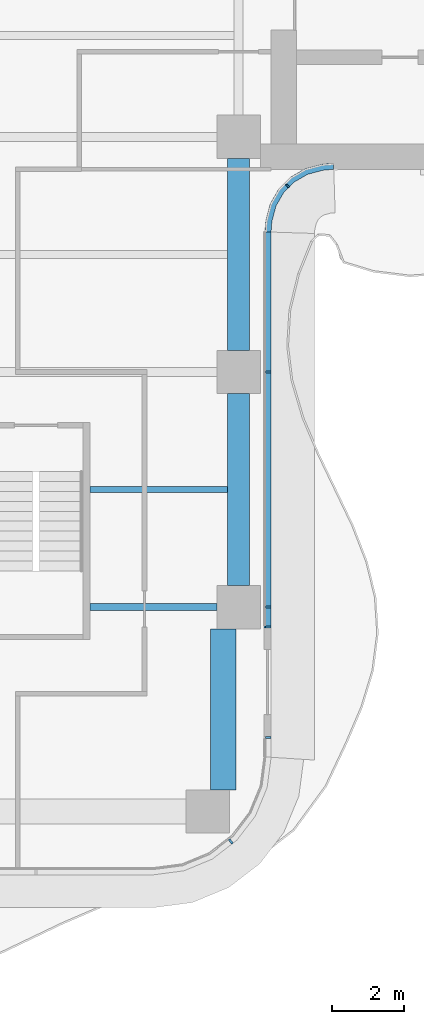
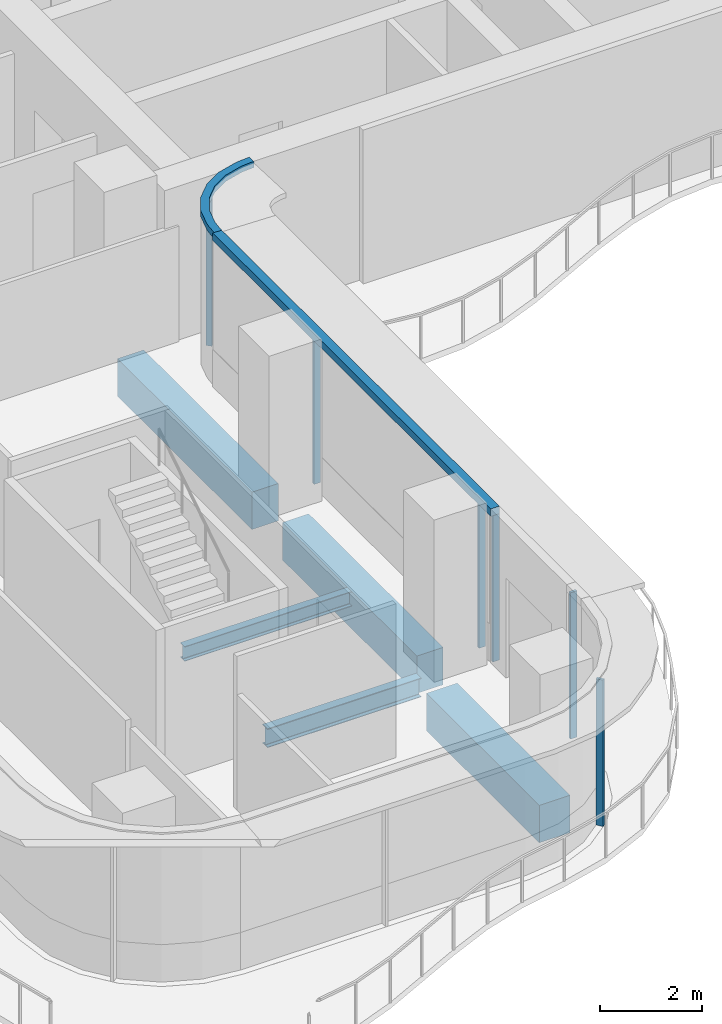
# One storey, part 5 of 18: 8 members, 5 beams, 4 elements without a shape of their own.
"""IFC4 building model written with IfcOpenShell, lengths in metres."""

from ifc_helpers import new_model, si_unit, direction, frame, origin, origin_2d, place, context, subcontext, project, spatial, polyline, rectangle, i_section, outline, extrude, source, transform, mapped, material, layer, layer_set, material_profile, profile_set, type_object, element, aggregate, save


model = new_model("IFC4")

# Units and contexts
model_context = context("Model", 3, precision=1e-05, world=origin(), true_north=direction((0.0, 1.0)))
body_context = subcontext(model_context, "Body", "Model", "MODEL_VIEW")
ifc_project = project(units=[si_unit("LENGTHUNIT", "METRE"), si_unit("AREAUNIT", "SQUARE_METRE"), si_unit("VOLUMEUNIT", "CUBIC_METRE"), si_unit("PLANEANGLEUNIT", "RADIAN"), si_unit("MASSUNIT", "GRAM", prefix="KILO")], contexts=[model_context])

# Site, building, storey
site_placement = place(None, origin())
site = spatial("IfcSite", under=ifc_project, at=site_placement, CompositionType="ELEMENT")
building_placement = place(site_placement, origin())
building = spatial("IfcBuilding", under=site, at=building_placement, Name="Trellis Farm Tower", CompositionType="ELEMENT")
storey_placement = place(building_placement, frame((0.0, 0.0, 169.800048828125)))
storey = spatial("IfcBuildingStorey", under=building, at=storey_placement, Name="L36", CompositionType="ELEMENT", Elevation=169.800048828125)

# Beams
ifc_material_1 = material(Name="Steel S355", Category="steel")
ifc_material_profile_1 = material_profile(ifc_material_1, i_section(OverallWidth=0.1904296875, OverallDepth=0.45703125, WebThickness=0.009033203125, FlangeThickness=0.014404296875, FilletRadius=0.01025390625, at=origin_2d()), Name="UB 457x191x74")
ifc_profile_set_1 = profile_set([ifc_material_profile_1], Name="Steel S355")
beam_type_1 = type_object("IfcBeamType", Name="UB 457x191x74", PredefinedType="BEAM", material=ifc_profile_set_1)
shared_shape_1 = source(origin(), body_context, "Body", "SweptSolid", [
    extrude(i_section(OverallWidth=0.1904296875, OverallDepth=0.45703125, WebThickness=0.009033203125, FlangeThickness=0.014404296875, FilletRadius=0.01025390625, at=origin_2d()), origin(), (0.0, 0.0, 1.0), 3.5),
])
beam_1_placement = place(storey_placement, frame((1.5, -18.60009765625, -0.428466796875), z_axis=(1.0, 0.0, 0.0), x_axis=(0.0, 1.0, 0.0)))
element("IfcBeam", 1, at=beam_1_placement, inside=storey, type_object=beam_type_1, Name="Girder", PredefinedType="BEAM", context=body_context, shape_type="MappedRepresentation", body=[
    mapped(shared_shape_1, transform((0.0, 0.0, 0.0))),
])
ifc_material_2 = material(Name="Concrete C60/75", Category="concrete")
ifc_material_profile_2 = material_profile(ifc_material_2, rectangle(XDim=0.60009765625, YDim=0.89990234375, at=origin_2d()), Name="RC spandrel beam 600x900 C60/75")
ifc_profile_set_2 = profile_set([ifc_material_profile_2], Name="Concrete C60/75")
beam_type_2 = type_object("IfcBeamType", Name="RC spandrel beam 600x900 C60/75", PredefinedType="SPANDREL", material=ifc_profile_set_2)
shared_shape_2 = source(origin(), body_context, "Body", "SweptSolid", [
    extrude(rectangle(XDim=0.60009765625, YDim=0.89990234375, at=origin_2d()), origin(), (0.0, 0.0, 1.0), 5.300048828125),
])
for number, where, z_axis, x_axis, name in (
    (2, (5.60009765625, -18.0, -0.650146484375), (0.0, 1.0, 0.0), (-1.0, 0.0, 0.0), "Girder"),
    (3, (5.60009765625, -11.5, -0.650146484375), (0.0, 1.0, 0.0), (-1.0, 0.0, 0.0), "Girder"),
):
    element("IfcBeam", number, at=place(storey_placement, frame(where, z_axis=z_axis, x_axis=x_axis)), inside=storey, type_object=beam_type_2, Name=name, PredefinedType="SPANDREL", context=body_context, shape_type="MappedRepresentation", body=[
        mapped(shared_shape_2, transform((0.0, 0.0, 0.0))),
    ])
ifc_material_profile_3 = material_profile(ifc_material_2, rectangle(XDim=0.699951171875, YDim=0.89990234375, at=origin_2d()), Name="RC spandrel beam 700x900 C60/75")
ifc_profile_set_3 = profile_set([ifc_material_profile_3], Name="Concrete C60/75")
beam_type_3 = type_object("IfcBeamType", Name="RC spandrel beam 700x900 C60/75", PredefinedType="SPANDREL", material=ifc_profile_set_3)
shared_shape_3 = source(origin(), body_context, "Body", "SweptSolid", [
    extrude(rectangle(XDim=0.699951171875, YDim=0.89990234375, at=origin_2d()), origin(), (0.0, 0.0, 1.0), 4.449951171875),
])
beam_2_placement = place(storey_placement, frame((5.175048828125, -23.64990234375, -0.650146484375), z_axis=(0.0, 1.0, 0.0), x_axis=(-1.0, 0.0, 0.0)))
element("IfcBeam", 4, at=beam_2_placement, inside=storey, type_object=beam_type_3, Name="Girder", PredefinedType="SPANDREL", context=body_context, shape_type="MappedRepresentation", body=[
    mapped(shared_shape_3, transform((0.0, 0.0, 0.0))),
])
ifc_material_profile_4 = material_profile(ifc_material_1, i_section(OverallWidth=0.17138671875, OverallDepth=0.35498046875, WebThickness=0.00732421875, FlangeThickness=0.011474609375, FilletRadius=0.01025390625, at=origin_2d()), Name="UB 356x171x51")
ifc_profile_set_4 = profile_set([ifc_material_profile_4], Name="Steel S355")
beam_type_4 = type_object("IfcBeamType", Name="UB 356x171x51 joist", PredefinedType="JOIST", material=ifc_profile_set_4)
shared_shape_4 = source(origin(), body_context, "Body", "SweptSolid", [
    extrude(i_section(OverallWidth=0.17138671875, OverallDepth=0.35498046875, WebThickness=0.00732421875, FlangeThickness=0.011474609375, FilletRadius=0.01025390625, at=origin_2d()), origin(), (0.0, 0.0, 1.0), 3.800048828125),
])
beam_3_placement = place(storey_placement, frame((1.5, -15.35009765625, -0.37744140625), z_axis=(1.0, 0.0, 0.0), x_axis=(0.0, 1.0, 0.0)))
element("IfcBeam", 5, at=beam_3_placement, inside=storey, type_object=beam_type_4, Name="Floor beam", PredefinedType="JOIST", context=body_context, shape_type="MappedRepresentation", body=[
    mapped(shared_shape_4, transform((0.0, 0.0, 0.0))),
])

# Curtain wall, member
ifc_material_3 = material(Name="Aluminium and glass curtain wall", Category="aluminium")
ifc_layer_1 = layer(ifc_material_3, 0.166015625)
ifc_layer_set_1 = layer_set([ifc_layer_1], Name="WINTER GARDEN CURTAIN WALL CW3")
curtain_wall_type_1 = type_object("IfcCurtainWallType", Name="WINTER GARDEN CURTAIN WALL CW3", PredefinedType="NOTDEFINED", material=ifc_layer_set_1)
placement = place(storey_placement, origin())
curtain_wall_1 = element("IfcCurtainWall", 6, at=placement, inside=storey, type_object=curtain_wall_type_1, Name="CW3 002", PredefinedType="NOTDEFINED")
ifc_material_4 = material(Name="Aluminium extrusion 6063-T6", Category="aluminium")
ifc_layer_2 = layer(ifc_material_4, 0.169921875)
ifc_layer_set_2 = layer_set([ifc_layer_2], Name="Aluminium extrusion 6063-T6")
member_type_1 = type_object("IfcMemberType", Name="CW3 TRANSOM 170x150", PredefinedType="USERDEFINED", material=ifc_layer_set_2)
shared_shape_5 = source(origin(), body_context, "Body", "SweptSolid", [
    extrude(outline(polyline([(6.5, -8.2314453125), (6.513916015625, -8.01953125), (6.527587890625, -7.91552734375), (6.63671875, -7.508544921875), (6.846923828125, -7.144287109375), (7.144287109375, -6.846923828125), (7.508544921875, -6.63671875), (7.91552734375, -6.527587890625), (8.01953125, -6.513916015625), (8.2314453125, -6.5), (8.225830078125, -6.330078125), (8.0029296875, -6.3447265625), (7.88232421875, -6.360595703125), (7.44287109375, -6.478271484375), (7.0400390625, -6.7109375), (6.7109375, -7.0400390625), (6.478271484375, -7.44287109375), (6.360595703125, -7.88232421875), (6.3447265625, -8.0029296875), (6.330078125, -8.225830078125), (6.5, -8.2314453125)])), origin(), (0.0, 0.0, 1.0), 0.14990234375),
])
member_1_placement = place(storey_placement, frame((0.0, 0.0, 3.550048828125)))
member_1 = element("IfcMember", 7, at=member_1_placement, type_object=member_type_1, Name="TR3 002", ObjectType="TRANSOM", PredefinedType="USERDEFINED", context=body_context, shape_type="MappedRepresentation", body=[
    mapped(shared_shape_5, transform((0.0, 0.0, 0.0))),
])

ifc_layer_3 = layer(ifc_material_3, 0.18994140625)
ifc_layer_set_3 = layer_set([ifc_layer_3], Name="RIBBON CURTAIN WALL CW1")
curtain_wall_type_2 = type_object("IfcCurtainWallType", Name="RIBBON CURTAIN WALL CW1", PredefinedType="NOTDEFINED", material=ifc_layer_set_3)
curtain_wall_2 = element("IfcCurtainWall", 8, at=placement, inside=storey, type_object=curtain_wall_type_2, Name="CW1 003", PredefinedType="NOTDEFINED")
ifc_material_profile_5 = material_profile(ifc_material_4, rectangle(XDim=0.06005859375, YDim=0.14990234375, at=origin_2d()), Name="MULLION 60x150")
ifc_profile_set_5 = profile_set([ifc_material_profile_5], Name="Aluminium extrusion 6063-T6")
member_type_2 = type_object("IfcMemberType", Name="CW1 MULLION 60x150", PredefinedType="MULLION", material=ifc_profile_set_5)
shared_shape_6 = source(origin(), body_context, "Body", "SweptSolid", [
    extrude(rectangle(XDim=0.06005859375, YDim=0.14990234375, at=origin_2d()), origin(), (0.0, 0.0, 1.0), 3.52001953125),
])
member_2_placement = place(storey_placement, frame((5.385498046875, -25.078369140625, 0.0), z_axis=(0.0, 0.0, 1.0), x_axis=(0.793353340291, 0.608761429009, 0.0)))
member_2 = element("IfcMember", 9, at=member_2_placement, type_object=member_type_2, Name="MU1 003-02", PredefinedType="MULLION", context=body_context, shape_type="MappedRepresentation", body=[
    mapped(shared_shape_6, transform((0.0, 0.0, 0.0))),
])
aggregate(curtain_wall_2, [member_2])

curtain_wall_3 = element("IfcCurtainWall", 10, at=placement, inside=storey, type_object=curtain_wall_type_2, Name="CW1 004", PredefinedType="NOTDEFINED")
member_3_placement = place(storey_placement, frame((6.425048828125, -22.205078125, 0.0), z_axis=(0.0, 0.0, 1.0), x_axis=(0.0, 1.0, 0.0)))
member_3 = element("IfcMember", 11, at=member_3_placement, type_object=member_type_2, Name="MU1 004-01", PredefinedType="MULLION", context=body_context, shape_type="MappedRepresentation", body=[
    mapped(shared_shape_6, transform((0.0, 0.0, 0.0))),
])
aggregate(curtain_wall_3, [member_3])

# Curtain wall, members
curtain_wall_4 = element("IfcCurtainWall", 12, at=placement, inside=storey, type_object=curtain_wall_type_2, Name="CW1 005", PredefinedType="NOTDEFINED")
member_4_placement = place(storey_placement, frame((6.425048828125, -19.14501953125, 0.0), z_axis=(0.0, 0.0, 1.0), x_axis=(0.0, 1.0, 0.0)))
member_4 = element("IfcMember", 13, at=member_4_placement, type_object=member_type_2, Name="MU1 005-01", PredefinedType="MULLION", context=body_context, shape_type="MappedRepresentation", body=[
    mapped(shared_shape_6, transform((0.0, 0.0, 0.0))),
])
member_5_placement = place(storey_placement, frame((6.425048828125, -18.60009765625, 0.0), z_axis=(0.0, 0.0, 1.0), x_axis=(0.0, 1.0, 0.0)))
member_5 = element("IfcMember", 14, at=member_5_placement, type_object=member_type_2, Name="MU1 005-02", PredefinedType="MULLION", context=body_context, shape_type="MappedRepresentation", body=[
    mapped(shared_shape_6, transform((0.0, 0.0, 0.0))),
])
member_6_placement = place(storey_placement, frame((6.425048828125, -12.10009765625, 0.0), z_axis=(0.0, 0.0, 1.0), x_axis=(0.0, 1.0, 0.0)))
member_6 = element("IfcMember", 15, at=member_6_placement, type_object=member_type_2, Name="MU1 005-03", PredefinedType="MULLION", context=body_context, shape_type="MappedRepresentation", body=[
    mapped(shared_shape_6, transform((0.0, 0.0, 0.0))),
])

# Member
ifc_material_profile_6 = material_profile(ifc_material_4, rectangle(XDim=0.050048828125, YDim=0.1201171875, at=origin_2d()), Name="MULLION 50x120")
ifc_profile_set_6 = profile_set([ifc_material_profile_6], Name="Aluminium extrusion 6063-T6")
member_type_3 = type_object("IfcMemberType", Name="CW3 MULLION 50x120", PredefinedType="MULLION", material=ifc_profile_set_6)
shared_shape_7 = source(origin(), body_context, "Body", "SweptSolid", [
    extrude(rectangle(XDim=0.050048828125, YDim=0.1201171875, at=origin_2d()), origin(), (0.0, 0.0, 1.0), 3.550048828125),
])
member_7_placement = place(storey_placement, frame((6.953125, -6.953125, 0.0), z_axis=(0.0, 0.0, 1.0), x_axis=(0.707106781187, 0.707106781187, 0.0)))
member_7 = element("IfcMember", 16, at=member_7_placement, type_object=member_type_3, Name="MU3 002-01", PredefinedType="MULLION", context=body_context, shape_type="MappedRepresentation", body=[
    mapped(shared_shape_7, transform((0.0, 0.0, 0.0))),
])

aggregate(curtain_wall_1, [member_7, member_1])

ifc_layer_4 = layer(ifc_material_4, 0.199951171875)
ifc_layer_set_4 = layer_set([ifc_layer_4], Name="Aluminium extrusion 6063-T6")
member_type_4 = type_object("IfcMemberType", Name="CW1 TRANSOM 200x180", PredefinedType="USERDEFINED", material=ifc_layer_set_4)
shared_shape_8 = source(origin(), body_context, "Body", "SweptSolid", [
    extrude(outline(polyline([(6.5, -19.175048828125), (6.5, -8.2314453125), (6.300048828125, -8.224853515625), (6.300048828125, -19.175048828125), (6.5, -19.175048828125)])), origin(), (0.0, 0.0, 1.0), 0.179931640625),
])
member_8_placement = place(storey_placement, frame((0.0, 0.0, 3.52001953125)))
member_8 = element("IfcMember", 17, at=member_8_placement, type_object=member_type_4, Name="TR1 005", ObjectType="TRANSOM", PredefinedType="USERDEFINED", context=body_context, shape_type="MappedRepresentation", body=[
    mapped(shared_shape_8, transform((0.0, 0.0, 0.0))),
])

aggregate(curtain_wall_4, [member_4, member_5, member_6, member_8])

save(model, "model.ifc")
